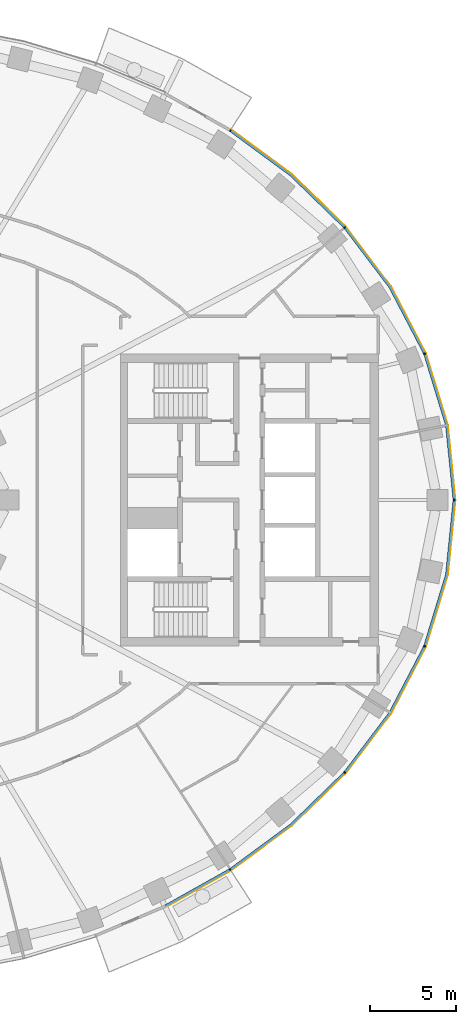
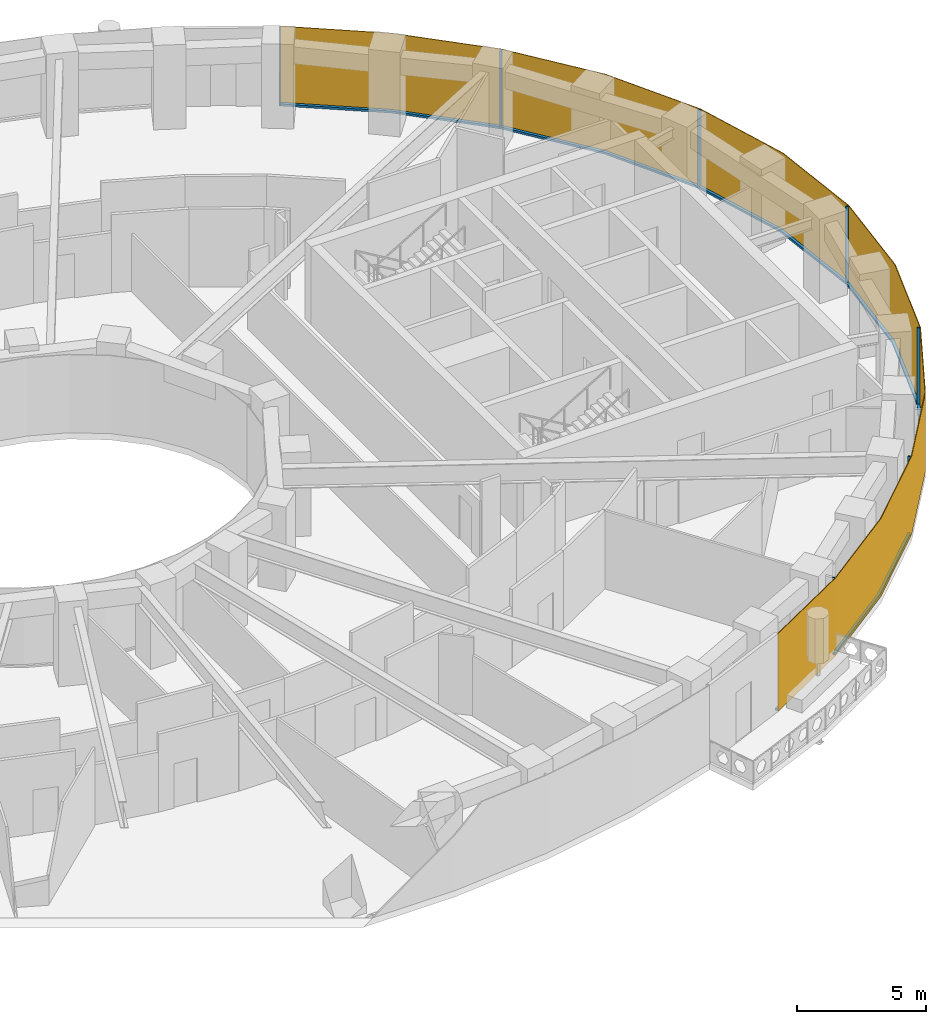
# One storey, part 12 of 16: 14 members, 1 curtain wall.
"""IFC4 building model written with IfcOpenShell, lengths in metres."""

from ifc_helpers import new_model, si_unit, direction, frame, origin, origin_2d, place, context, subcontext, project, spatial, polyline, rectangle, outline, extrude, material, layer, layer_set, material_profile, profile_set, type_object, element, aggregate, save


model = new_model("IFC4")

# Units and contexts
model_context = context("Model", 3, precision=1e-05, world=origin(), true_north=direction((0.0, 1.0)))
body_context = subcontext(model_context, "Body", "Model", "MODEL_VIEW")
ifc_project = project(units=[si_unit("LENGTHUNIT", "METRE"), si_unit("AREAUNIT", "SQUARE_METRE"), si_unit("VOLUMEUNIT", "CUBIC_METRE"), si_unit("PLANEANGLEUNIT", "RADIAN"), si_unit("MASSUNIT", "GRAM", prefix="KILO")], contexts=[model_context])

# Member
ifc_material_1 = material(Name="Aluminium 6063-T6 black anodised", Category="aluminium")
ifc_material_profile = material_profile(ifc_material_1, rectangle(XDim=0.1201171875, YDim=0.06005859375, at=origin_2d()), Name="120x60")
ifc_profile_set = profile_set([ifc_material_profile], Name="Aluminium 6063-T6 black anodised")
member_type_1 = type_object("IfcMemberType", Name="ENV-MULLION-A-120", PredefinedType="MULLION", material=ifc_profile_set)
site_placement = place(None, origin())
building_placement = place(site_placement, origin())
storey_placement = place(building_placement, frame((0.0, 0.0, 116.0)))
member_1_placement = place(storey_placement, frame((22.882568359375, -21.506591796875, 0.0), z_axis=(0.0, 0.0, 1.0), x_axis=(-0.542279153225, 0.840198381323, 0.0)))
member_1 = element("IfcMember", 1, at=member_1_placement, type_object=member_type_1, Name="Mullion A radial 41", PredefinedType="MULLION", context=body_context, shape_type="SweptSolid", body=[
    extrude(rectangle(XDim=0.1201171875, YDim=0.06005859375, at=origin_2d()), origin(), (0.0, 0.0, 1.0), 3.699951171875),
])

member_2_placement = place(storey_placement, frame((29.53857421875, -15.8671875, 0.0), z_axis=(0.0, 0.0, 1.0), x_axis=(-0.749047221705, 0.662516610853, 0.0)))
member_2 = element("IfcMember", 2, at=member_2_placement, type_object=member_type_1, Name="Mullion A radial 43", PredefinedType="MULLION", context=body_context, shape_type="SweptSolid", body=[
    extrude(rectangle(XDim=0.1201171875, YDim=0.06005859375, at=origin_2d()), origin(), (0.0, 0.0, 1.0), 3.699951171875),
])

member_3_placement = place(storey_placement, frame((34.19580078125, -8.513916015625, 0.0), z_axis=(0.0, 0.0, 1.0), x_axis=(-0.92546738067, 0.378827305398, 0.0)))
member_3 = element("IfcMember", 3, at=member_3_placement, type_object=member_type_1, Name="Mullion A radial 45", PredefinedType="MULLION", context=body_context, shape_type="SweptSolid", body=[
    extrude(rectangle(XDim=0.1201171875, YDim=0.06005859375, at=origin_2d()), origin(), (0.0, 0.0, 1.0), 3.699951171875),
])

member_4_placement = place(storey_placement, frame((35.907958984375, 0.0, 0.0), z_axis=(0.0, 0.0, 1.0), x_axis=(-1.0, 0.0, 0.0)))
member_4 = element("IfcMember", 4, at=member_4_placement, type_object=member_type_1, Name="Mullion A radial 01", PredefinedType="MULLION", context=body_context, shape_type="SweptSolid", body=[
    extrude(rectangle(XDim=0.1201171875, YDim=0.06005859375, at=origin_2d()), origin(), (0.0, 0.0, 1.0), 3.699951171875),
])

member_5_placement = place(storey_placement, frame((34.19580078125, 8.513916015625, 0.0), z_axis=(0.0, 0.0, 1.0), x_axis=(-0.92546738067, -0.378827305398, 0.0)))
member_5 = element("IfcMember", 5, at=member_5_placement, type_object=member_type_1, Name="Mullion A radial 03", PredefinedType="MULLION", context=body_context, shape_type="SweptSolid", body=[
    extrude(rectangle(XDim=0.1201171875, YDim=0.06005859375, at=origin_2d()), origin(), (0.0, 0.0, 1.0), 3.699951171875),
])

member_6_placement = place(storey_placement, frame((29.53857421875, 15.8671875, 0.0), z_axis=(0.0, 0.0, 1.0), x_axis=(-0.749047221705, -0.662516610853, 0.0)))
member_6 = element("IfcMember", 6, at=member_6_placement, type_object=member_type_1, Name="Mullion A radial 05", PredefinedType="MULLION", context=body_context, shape_type="SweptSolid", body=[
    extrude(rectangle(XDim=0.1201171875, YDim=0.06005859375, at=origin_2d()), origin(), (0.0, 0.0, 1.0), 3.699951171875),
])

member_7_placement = place(storey_placement, frame((22.882568359375, 21.506591796875, 0.0), z_axis=(0.0, 0.0, 1.0), x_axis=(-0.542279153225, -0.840198381323, 0.0)))
member_7 = element("IfcMember", 7, at=member_7_placement, type_object=member_type_1, Name="Mullion A radial 07", PredefinedType="MULLION", context=body_context, shape_type="SweptSolid", body=[
    extrude(rectangle(XDim=0.1201171875, YDim=0.06005859375, at=origin_2d()), origin(), (0.0, 0.0, 1.0), 3.699951171875),
])

ifc_material_2 = material(Name="Aluminium 6063-T6 black anodised", Category="aluminium")
member_type_2 = type_object("IfcMemberType", Name="ENV-TRANSOM-A", PredefinedType="USERDEFINED", material=ifc_material_2)
member_8_placement = place(storey_placement, origin())
member_8 = element("IfcMember", 8, at=member_8_placement, type_object=member_type_2, Name="Transom A radial 40-41", ObjectType="TRANSOM", PredefinedType="USERDEFINED", context=body_context, shape_type="SweptSolid", body=[
    extrude(outline(polyline([(19.111572265625, -23.691650390625), (22.890625, -21.570556640625), (22.825439453125, -21.469482421875), (19.058837890625, -23.58349609375), (19.111572265625, -23.691650390625)])), origin(), (0.0, 0.0, 1.0), 0.10009765625),
])

member_9_placement = place(storey_placement, origin())
member_9 = element("IfcMember", 9, at=member_9_placement, type_object=member_type_2, Name="Transom A radial 41-43", ObjectType="TRANSOM", PredefinedType="USERDEFINED", context=body_context, shape_type="SweptSolid", body=[
    extrude(outline(polyline([(22.937744140625, -21.540283203125), (26.4423828125, -18.958740234375), (29.5634765625, -15.926513671875), (29.473388671875, -15.8466796875), (26.364501953125, -18.866943359375), (22.87255859375, -21.439208984375), (22.937744140625, -21.540283203125)])), origin(), (0.0, 0.0, 1.0), 0.10009765625),
])

member_10_placement = place(storey_placement, origin())
member_10 = element("IfcMember", 10, at=member_10_placement, type_object=member_type_2, Name="Transom A radial 43-45", ObjectType="TRANSOM", PredefinedType="USERDEFINED", context=body_context, shape_type="SweptSolid", body=[
    extrude(outline(polyline([(29.6005859375, -15.884521484375), (32.22802734375, -12.41748046875), (34.23828125, -8.5615234375), (34.126708984375, -8.515869140625), (32.126220703125, -12.35302734375), (29.51025390625, -15.8046875), (29.6005859375, -15.884521484375)])), origin(), (0.0, 0.0, 1.0), 0.10009765625),
])

member_11_placement = place(storey_placement, origin())
member_11 = element("IfcMember", 11, at=member_11_placement, type_object=member_type_2, Name="Transom A radial 45-01", ObjectType="TRANSOM", PredefinedType="USERDEFINED", context=body_context, shape_type="SweptSolid", body=[
    extrude(outline(polyline([(34.259521484375, -8.509765625), (35.529541015625, -4.352294921875), (35.965087890625, -0.02783203125), (35.844482421875, -0.02783203125), (35.411376953125, -4.32861328125), (34.14794921875, -8.464111328125), (34.259521484375, -8.509765625)])), origin(), (0.0, 0.0, 1.0), 0.10009765625),
])

member_12_placement = place(storey_placement, origin())
member_12 = element("IfcMember", 12, at=member_12_placement, type_object=member_type_2, Name="Transom A radial 01-03", ObjectType="TRANSOM", PredefinedType="USERDEFINED", context=body_context, shape_type="SweptSolid", body=[
    extrude(outline(polyline([(35.965087890625, 0.02783203125), (35.529541015625, 4.352294921875), (34.259521484375, 8.509765625), (34.14794921875, 8.464111328125), (35.411376953125, 4.32861328125), (35.844482421875, 0.02783203125), (35.965087890625, 0.02783203125)])), origin(), (0.0, 0.0, 1.0), 0.10009765625),
])

member_13_placement = place(storey_placement, origin())
member_13 = element("IfcMember", 13, at=member_13_placement, type_object=member_type_2, Name="Transom A radial 03-05", ObjectType="TRANSOM", PredefinedType="USERDEFINED", context=body_context, shape_type="SweptSolid", body=[
    extrude(outline(polyline([(34.23828125, 8.5615234375), (32.22802734375, 12.41748046875), (29.6005859375, 15.884521484375), (29.51025390625, 15.8046875), (32.126220703125, 12.35302734375), (34.126708984375, 8.515869140625), (34.23828125, 8.5615234375)])), origin(), (0.0, 0.0, 1.0), 0.10009765625),
])

member_14_placement = place(storey_placement, origin())
member_14 = element("IfcMember", 14, at=member_14_placement, type_object=member_type_2, Name="Transom A radial 05-07", ObjectType="TRANSOM", PredefinedType="USERDEFINED", context=body_context, shape_type="SweptSolid", body=[
    extrude(outline(polyline([(29.5634765625, 15.926513671875), (26.4423828125, 18.958740234375), (22.937744140625, 21.540283203125), (22.87255859375, 21.439208984375), (26.364501953125, 18.866943359375), (29.473388671875, 15.8466796875), (29.5634765625, 15.926513671875)])), origin(), (0.0, 0.0, 1.0), 0.10009765625),
])

# Site, building, storey
site = spatial("IfcSite", under=ifc_project, at=site_placement, CompositionType="ELEMENT")
building = spatial("IfcBuilding", under=site, at=building_placement, Name="Noorbagh Ring Tower", CompositionType="ELEMENT")
storey = spatial("IfcBuildingStorey", under=building, at=storey_placement, Name="L26", CompositionType="ELEMENT", Elevation=116.0)

# Curtain wall
ifc_material_3 = material(Name="Glass dark tinted laminated", Category="glass")
ifc_layer = layer(ifc_material_3, 0.031982421875)
ifc_layer_set = layer_set([ifc_layer], Name="Glass dark tinted laminated")
curtain_wall_type = type_object("IfcCurtainWallType", Name="ENV-CW-A", PredefinedType="NOTDEFINED", material=ifc_layer_set)
curtain_wall_placement = place(storey_placement, origin())
curtain_wall = element("IfcCurtainWall", 15, at=curtain_wall_placement, inside=storey, type_object=curtain_wall_type, Name="Curtain wall A R40", PredefinedType="NOTDEFINED", context=body_context, shape_type="SweptSolid", body=[
    extrude(outline(polyline([(19.125732421875, -23.720458984375), (22.9326171875, -21.583740234375), (26.463134765625, -18.9833984375), (29.607666015625, -15.927978515625), (32.255126953125, -12.434814453125), (34.281005859375, -8.548828125), (35.561279296875, -4.358642578125), (36.0, 0.0), (35.561279296875, 4.358642578125), (34.281005859375, 8.548828125), (32.255126953125, 12.434814453125), (29.607666015625, 15.927978515625), (26.463134765625, 18.9833984375), (22.948486328125, 21.572021484375), (22.931396484375, 21.544921875), (26.4423828125, 18.958740234375), (29.58349609375, 15.906982421875), (32.22802734375, 12.41748046875), (34.251220703125, 8.53662109375), (35.529541015625, 4.352294921875), (35.9677734375, 0.0), (35.529541015625, -4.352294921875), (34.251220703125, -8.53662109375), (32.22802734375, -12.41748046875), (29.58349609375, -15.906982421875), (26.4423828125, -18.958740234375), (22.9150390625, -21.556884765625), (19.111572265625, -23.691650390625), (19.125732421875, -23.720458984375)])), origin(), (0.0, 0.0, 1.0), 3.699951171875),
])

aggregate(curtain_wall, [member_1, member_2, member_3, member_4, member_5, member_6, member_7, member_8, member_9, member_10, member_11, member_12, member_13, member_14])

save(model, "model.ifc")
